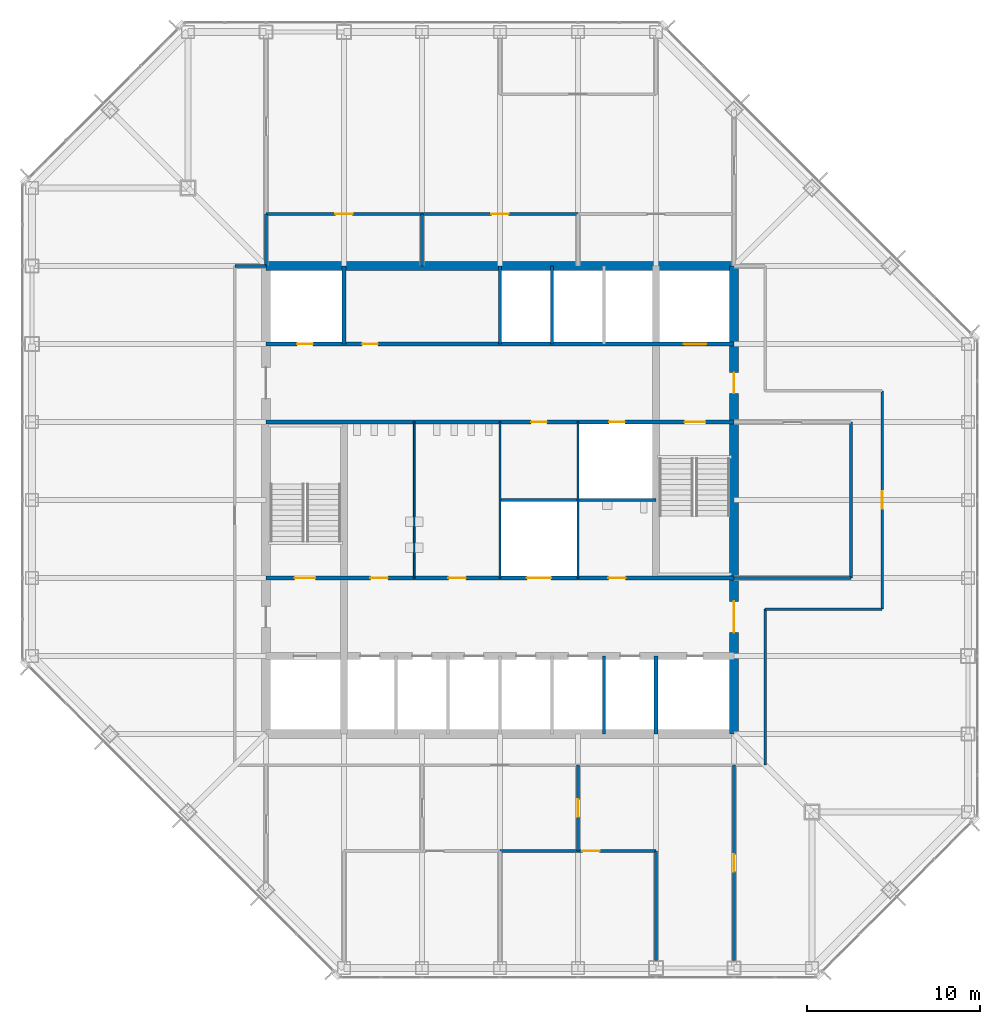
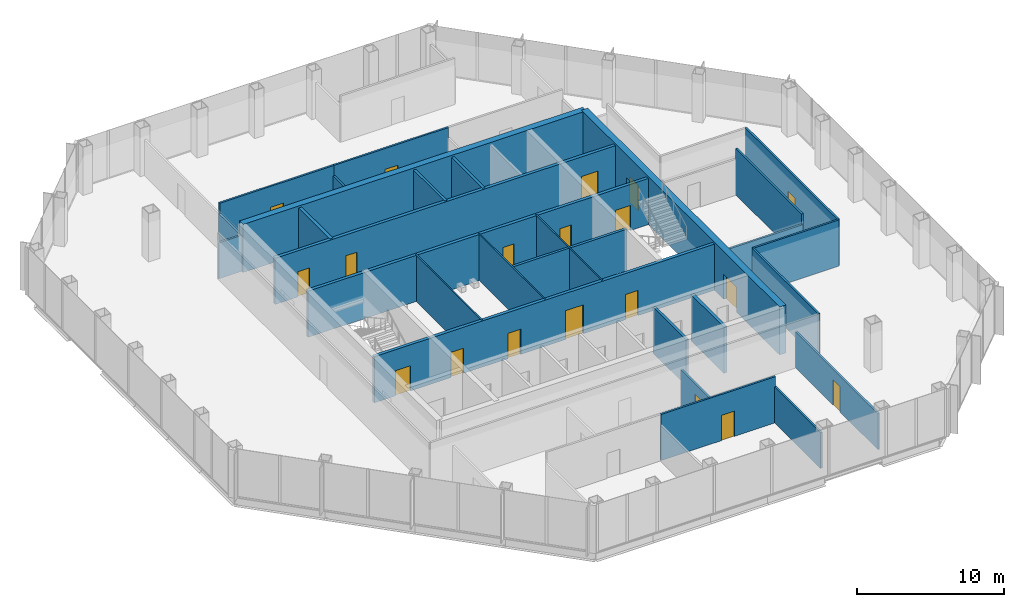
# One storey, part 9 of 12: 28 walls, 19 doors, 19 openings.
"""IFC4 building model written with IfcOpenShell, lengths in metres."""

from ifc_helpers import new_model, si_unit, direction, frame, frame_2d, origin, place, context, subcontext, project, spatial, rectangle, extrude, material, layer, layer_set, type_object, element, fill, save


model = new_model("IFC4")

# Units and contexts
model_context = context("Model", 3, precision=1e-05, world=origin(), true_north=direction((0.0, 1.0)))
body_context = subcontext(model_context, "Body", "Model", "MODEL_VIEW")
ifc_project = project(units=[si_unit("LENGTHUNIT", "METRE"), si_unit("AREAUNIT", "SQUARE_METRE"), si_unit("VOLUMEUNIT", "CUBIC_METRE"), si_unit("PLANEANGLEUNIT", "RADIAN"), si_unit("MASSUNIT", "GRAM", prefix="KILO")], contexts=[model_context])

# Site, building, storey
site_placement = place(None, origin())
site = spatial("IfcSite", under=ifc_project, at=site_placement, CompositionType="ELEMENT")
building_placement = place(site_placement, origin())
building = spatial("IfcBuilding", under=site, at=building_placement, Name="Corais Broadcast Tower", CompositionType="ELEMENT")
storey_placement = place(building_placement, frame((0.0, 0.0, 187.60009765625)))
storey = spatial("IfcBuildingStorey", under=building, at=storey_placement, Name="L43", CompositionType="ELEMENT", Elevation=187.60009765625)

# Walls
ifc_material_1 = material(Name="Concrete blockwork class A, grouted, two-hour", Category="masonry")
ifc_layer_1 = layer(ifc_material_1, 0.25)
ifc_layer_set_1 = layer_set([ifc_layer_1], Name="Concrete blockwork class A, grouted, two-hour")
wall_type_1 = type_object("IfcWallType", Name="Core lobby wall 250", PredefinedType="SOLIDWALL", material=ifc_layer_set_1)
for number, where, z_axis, x_axis, name in (
    (1, (18.0, 36.0, 0.0), (0.0, 0.0, 1.0), (0.0, 1.0, 0.0), "CL2 core shaft wall X18B L43"),
    (2, (36.0, 13.5, 0.0), (0.0, 0.0, 1.0), (0.0, 1.0, 0.0), "CL2 core shaft wall X36A L43"),
):
    element("IfcWall", number, at=place(storey_placement, frame(where, z_axis=z_axis, x_axis=x_axis)), inside=storey, type_object=wall_type_1, Name=name, PredefinedType="SOLIDWALL", context=body_context, shape_type="SweptSolid", body=[
        extrude(rectangle(XDim=4.5, YDim=0.25, at=frame_2d((2.25, 0.0))), origin(), (0.0, 0.0, 1.0), 3.83984375),
    ])

# Wall, openings, doors
wall_1_placement = place(storey_placement, frame((13.5, 22.5, 0.0), z_axis=(0.0, 0.0, 1.0), x_axis=(1.0, 0.0, 0.0)))
wall_1 = element("IfcWall", 3, at=wall_1_placement, inside=storey, type_object=wall_type_1, Name="CL2 core lobby wall Y225 L43", PredefinedType="SOLIDWALL", context=body_context, shape_type="SweptSolid", body=[
    extrude(rectangle(XDim=27.0, YDim=0.25, at=frame_2d((13.5, 0.0))), origin(), (0.0, 0.0, 1.0), 3.83984375),
])
opening_1_placement = place(wall_1_placement, frame((1.64990234375, 0.0, 0.0)))
opening_1 = element("IfcOpeningElement", 4, at=opening_1_placement, cuts=wall_1, Name="Opening FD1", PredefinedType="OPENING", context=body_context, shape_type="SweptSolid", body=[
    extrude(rectangle(XDim=1.199951171875, YDim=2.10009765625, at=frame_2d((0.60009765625, 1.050048828125))), frame((0.0, 0.135009765625, 0.0), z_axis=(0.0, -1.0, 0.0), x_axis=(1.0, 0.0, 0.0)), (0.0, 0.0, 1.0), 0.27001953125),
])
opening_2_placement = place(wall_1_placement, frame((6.02490234375, 0.0, 0.0)))
opening_2 = element("IfcOpeningElement", 5, at=opening_2_placement, cuts=wall_1, Name="Opening WD1", PredefinedType="OPENING", context=body_context, shape_type="SweptSolid", body=[
    extrude(rectangle(XDim=1.0, YDim=2.10009765625, at=frame_2d((0.5, 1.050048828125))), frame((0.0, 0.135009765625, 0.0), z_axis=(0.0, -1.0, 0.0), x_axis=(1.0, 0.0, 0.0)), (0.0, 0.0, 1.0), 0.27001953125),
])
opening_3_placement = place(wall_1_placement, frame((10.52490234375, 0.0, 0.0)))
opening_3 = element("IfcOpeningElement", 6, at=opening_3_placement, cuts=wall_1, Name="Opening WD1", PredefinedType="OPENING", context=body_context, shape_type="SweptSolid", body=[
    extrude(rectangle(XDim=1.0, YDim=2.10009765625, at=frame_2d((0.5, 1.050048828125))), frame((0.0, 0.135009765625, 0.0), z_axis=(0.0, -1.0, 0.0), x_axis=(1.0, 0.0, 0.0)), (0.0, 0.0, 1.0), 0.27001953125),
])
opening_4_placement = place(wall_1_placement, frame((19.75, 0.0, 0.0)))
opening_4 = element("IfcOpeningElement", 7, at=opening_4_placement, cuts=wall_1, Name="Opening WD1", PredefinedType="OPENING", context=body_context, shape_type="SweptSolid", body=[
    extrude(rectangle(XDim=1.0, YDim=2.10009765625, at=frame_2d((0.5, 1.050048828125))), frame((0.0, 0.135009765625, 0.0), z_axis=(0.0, -1.0, 0.0), x_axis=(1.0, 0.0, 0.0)), (0.0, 0.0, 1.0), 0.27001953125),
])
opening_5_placement = place(wall_1_placement, frame((15.050048828125, 0.0, 0.0)))
opening_5 = element("IfcOpeningElement", 8, at=opening_5_placement, cuts=wall_1, Name="Opening LD3", PredefinedType="OPENING", context=body_context, shape_type="SweptSolid", body=[
    extrude(rectangle(XDim=1.39990234375, YDim=2.39990234375, at=frame_2d((0.699951171875, 1.199951171875))), frame((0.0, 0.135009765625, 0.0), z_axis=(0.0, -1.0, 0.0), x_axis=(1.0, 0.0, 0.0)), (0.0, 0.0, 1.0), 0.27001953125),
])
ifc_material_2 = material(Name="Steel fire door", Category="steel")
door_type_1 = type_object("IfcDoorType", Name="Fire door 1200x2100", OperationType="SINGLE_SWING_LEFT", PredefinedType="DOOR", material=ifc_material_2)
door_1_placement = place(opening_1_placement, origin())
door_1 = element("IfcDoor", 9, at=door_1_placement, inside=storey, type_object=door_type_1, Name="FD1 stair A door L43", OperationType="SINGLE_SWING_LEFT", OverallHeight=2.10009765625, OverallWidth=1.199951171875, PredefinedType="DOOR", context=body_context, shape_type="SweptSolid", body=[
    extrude(rectangle(XDim=1.199951171875, YDim=2.10009765625, at=frame_2d((0.60009765625, 1.050048828125))), frame((0.0, 0.02490234375, 0.0), z_axis=(0.0, -1.0, 0.0), x_axis=(1.0, 0.0, 0.0)), (0.0, 0.0, 1.0), 0.050048828125),
])
fill(opening_1, door_1)
ifc_material_3 = material(Name="Stainless steel lift door", Category="steel")
door_type_2 = type_object("IfcDoorType", Name="Service lift landing door 1400x2400", OperationType="SLIDING_TO_LEFT", PredefinedType="DOOR", material=ifc_material_3)
door_2_placement = place(opening_5_placement, origin())
door_2 = element("IfcDoor", 10, at=door_2_placement, inside=storey, type_object=door_type_2, Name="LD3 SL1 landing door L43", OperationType="SLIDING_TO_LEFT", OverallHeight=2.39990234375, OverallWidth=1.39990234375, PredefinedType="DOOR", context=body_context, shape_type="SweptSolid", body=[
    extrude(rectangle(XDim=1.39990234375, YDim=2.39990234375, at=frame_2d((0.699951171875, 1.199951171875))), frame((0.0, 0.02490234375, 0.0), z_axis=(0.0, -1.0, 0.0), x_axis=(1.0, 0.0, 0.0)), (0.0, 0.0, 1.0), 0.050048828125),
])
fill(opening_5, door_2)
ifc_material_4 = material(Name="Timber door", Category="wood")
door_type_3 = type_object("IfcDoorType", Name="Toilet door 1000x2100", OperationType="SINGLE_SWING_LEFT", PredefinedType="DOOR", material=ifc_material_4)
door_3_placement = place(opening_2_placement, origin())
door_3 = element("IfcDoor", 11, at=door_3_placement, inside=storey, type_object=door_type_3, Name="WD1 WC male door L43", OperationType="SINGLE_SWING_LEFT", OverallHeight=2.10009765625, OverallWidth=1.0, PredefinedType="DOOR", context=body_context, shape_type="SweptSolid", body=[
    extrude(rectangle(XDim=1.0, YDim=2.10009765625, at=frame_2d((0.5, 1.050048828125))), frame((0.0, 0.02490234375, 0.0), z_axis=(0.0, -1.0, 0.0), x_axis=(1.0, 0.0, 0.0)), (0.0, 0.0, 1.0), 0.050048828125),
])
fill(opening_2, door_3)
door_4_placement = place(opening_3_placement, origin())
door_4 = element("IfcDoor", 12, at=door_4_placement, inside=storey, type_object=door_type_3, Name="WD1 WC female door L43", OperationType="SINGLE_SWING_LEFT", OverallHeight=2.10009765625, OverallWidth=1.0, PredefinedType="DOOR", context=body_context, shape_type="SweptSolid", body=[
    extrude(rectangle(XDim=1.0, YDim=2.10009765625, at=frame_2d((0.5, 1.050048828125))), frame((0.0, 0.02490234375, 0.0), z_axis=(0.0, -1.0, 0.0), x_axis=(1.0, 0.0, 0.0)), (0.0, 0.0, 1.0), 0.050048828125),
])
fill(opening_3, door_4)
door_5_placement = place(opening_4_placement, origin())
door_5 = element("IfcDoor", 13, at=door_5_placement, inside=storey, type_object=door_type_3, Name="WD1 accessible WC door L43", OperationType="SINGLE_SWING_RIGHT", OverallHeight=2.10009765625, OverallWidth=1.0, PredefinedType="DOOR", context=body_context, shape_type="SweptSolid", body=[
    extrude(rectangle(XDim=1.0, YDim=2.10009765625, at=frame_2d((0.5, 1.050048828125))), frame((0.0, 0.02490234375, 0.0), z_axis=(0.0, -1.0, 0.0), x_axis=(1.0, 0.0, 0.0)), (0.0, 0.0, 1.0), 0.050048828125),
])
fill(opening_4, door_5)

wall_2_placement = place(storey_placement, frame((13.5, 31.5, 0.0), z_axis=(0.0, 0.0, 1.0), x_axis=(1.0, 0.0, 0.0)))
wall_2 = element("IfcWall", 14, at=wall_2_placement, inside=storey, type_object=wall_type_1, Name="CL2 core lobby wall Y315 L43", PredefinedType="SOLIDWALL", context=body_context, shape_type="SweptSolid", body=[
    extrude(rectangle(XDim=27.0, YDim=0.25, at=frame_2d((13.5, 0.0))), origin(), (0.0, 0.0, 1.0), 3.83984375),
])
opening_6_placement = place(wall_2_placement, frame((24.14990234375, 0.0, 0.0)))
opening_6 = element("IfcOpeningElement", 15, at=opening_6_placement, cuts=wall_2, Name="Opening FD1", PredefinedType="OPENING", context=body_context, shape_type="SweptSolid", body=[
    extrude(rectangle(XDim=1.199951171875, YDim=2.10009765625, at=frame_2d((0.60009765625, 1.050048828125))), frame((0.0, 0.135009765625, 0.0), z_axis=(0.0, -1.0, 0.0), x_axis=(1.0, 0.0, 0.0)), (0.0, 0.0, 1.0), 0.27001953125),
])
opening_7_placement = place(wall_2_placement, frame((15.300048828125, 0.0, 0.0)))
opening_7 = element("IfcOpeningElement", 16, at=opening_7_placement, cuts=wall_2, Name="Opening RD1", PredefinedType="OPENING", context=body_context, shape_type="SweptSolid", body=[
    extrude(rectangle(XDim=0.89990234375, YDim=2.10009765625, at=frame_2d((0.449951171875, 1.050048828125))), frame((0.0, 0.135009765625, 0.0), z_axis=(0.0, -1.0, 0.0), x_axis=(1.0, 0.0, 0.0)), (0.0, 0.0, 1.0), 0.27001953125),
])
opening_8_placement = place(wall_2_placement, frame((19.800048828125, 0.0, 0.0)))
opening_8 = element("IfcOpeningElement", 17, at=opening_8_placement, cuts=wall_2, Name="Opening RD1", PredefinedType="OPENING", context=body_context, shape_type="SweptSolid", body=[
    extrude(rectangle(XDim=0.89990234375, YDim=2.10009765625, at=frame_2d((0.449951171875, 1.050048828125))), frame((0.0, 0.135009765625, 0.0), z_axis=(0.0, -1.0, 0.0), x_axis=(1.0, 0.0, 0.0)), (0.0, 0.0, 1.0), 0.27001953125),
])
door_6_placement = place(opening_6_placement, origin())
door_6 = element("IfcDoor", 18, at=door_6_placement, inside=storey, type_object=door_type_1, Name="FD1 stair B door L43", OperationType="SINGLE_SWING_RIGHT", OverallHeight=2.10009765625, OverallWidth=1.199951171875, PredefinedType="DOOR", context=body_context, shape_type="SweptSolid", body=[
    extrude(rectangle(XDim=1.199951171875, YDim=2.10009765625, at=frame_2d((0.60009765625, 1.050048828125))), frame((0.0, 0.02490234375, 0.0), z_axis=(0.0, -1.0, 0.0), x_axis=(1.0, 0.0, 0.0)), (0.0, 0.0, 1.0), 0.050048828125),
])
fill(opening_6, door_6)
ifc_material_5 = material(Name="Steel fire door", Category="steel")
door_type_4 = type_object("IfcDoorType", Name="Riser door 900x2100", OperationType="SINGLE_SWING_LEFT", PredefinedType="DOOR", material=ifc_material_5)
door_7_placement = place(opening_7_placement, origin())
door_7 = element("IfcDoor", 19, at=door_7_placement, inside=storey, type_object=door_type_4, Name="RD1 stationery store door L43", OperationType="SINGLE_SWING_RIGHT", OverallHeight=2.10009765625, OverallWidth=0.89990234375, PredefinedType="DOOR", context=body_context, shape_type="SweptSolid", body=[
    extrude(rectangle(XDim=0.89990234375, YDim=2.10009765625, at=frame_2d((0.449951171875, 1.050048828125))), frame((0.0, 0.02490234375, 0.0), z_axis=(0.0, -1.0, 0.0), x_axis=(1.0, 0.0, 0.0)), (0.0, 0.0, 1.0), 0.050048828125),
])
fill(opening_7, door_7)
door_8_placement = place(opening_8_placement, origin())
door_8 = element("IfcDoor", 20, at=door_8_placement, inside=storey, type_object=door_type_4, Name="RD1 riser door L43", OperationType="SINGLE_SWING_RIGHT", OverallHeight=2.10009765625, OverallWidth=0.89990234375, PredefinedType="DOOR", context=body_context, shape_type="SweptSolid", body=[
    extrude(rectangle(XDim=0.89990234375, YDim=2.10009765625, at=frame_2d((0.449951171875, 1.050048828125))), frame((0.0, 0.02490234375, 0.0), z_axis=(0.0, -1.0, 0.0), x_axis=(1.0, 0.0, 0.0)), (0.0, 0.0, 1.0), 0.050048828125),
])
fill(opening_8, door_8)

ifc_material_6 = material(Name="Concrete C50/60", Category="concrete")
ifc_layer_2 = layer(ifc_material_6, 0.5)
ifc_layer_set_2 = layer_set([ifc_layer_2], Name="Concrete C50/60")
wall_type_2 = type_object("IfcWallType", Name="Core wall 500", PredefinedType="SHEAR", material=ifc_layer_set_2)
wall_3_placement = place(storey_placement, frame((40.5, 13.5, 0.0), z_axis=(0.0, 0.0, 1.0), x_axis=(0.0, 1.0, 0.0)))
wall_3 = element("IfcWall", 21, at=wall_3_placement, inside=storey, type_object=wall_type_2, Name="CR500 core wall E L43", PredefinedType="SHEAR", context=body_context, shape_type="SweptSolid", body=[
    extrude(rectangle(XDim=27.0, YDim=0.5, at=frame_2d((13.5, 0.0))), origin(), (0.0, 0.0, 1.0), 4.0),
])
opening_9_placement = place(wall_3_placement, frame((5.85009765625, 0.0, 0.0)))
opening_9 = element("IfcOpeningElement", 22, at=opening_9_placement, cuts=wall_3, Name="Opening FD2", PredefinedType="OPENING", context=body_context, shape_type="SweptSolid", body=[
    extrude(rectangle(XDim=1.800048828125, YDim=2.10009765625, at=frame_2d((0.89990234375, 1.050048828125))), frame((0.0, 0.260009765625, 0.0), z_axis=(0.0, -1.0, 0.0), x_axis=(1.0, 0.0, 0.0)), (0.0, 0.0, 1.0), 0.52001953125),
])
opening_10_placement = place(wall_3_placement, frame((19.64990234375, 0.0, 0.0)))
opening_10 = element("IfcOpeningElement", 23, at=opening_10_placement, cuts=wall_3, Name="Opening FD1", PredefinedType="OPENING", context=body_context, shape_type="SweptSolid", body=[
    extrude(rectangle(XDim=1.199951171875, YDim=2.10009765625, at=frame_2d((0.60009765625, 1.050048828125))), frame((0.0, 0.260009765625, 0.0), z_axis=(0.0, -1.0, 0.0), x_axis=(1.0, 0.0, 0.0)), (0.0, 0.0, 1.0), 0.52001953125),
])
door_9_placement = place(opening_10_placement, origin())
door_9 = element("IfcDoor", 24, at=door_9_placement, inside=storey, type_object=door_type_1, Name="FD1 fire lobby B door L43", OperationType="SINGLE_SWING_RIGHT", OverallHeight=2.10009765625, OverallWidth=1.199951171875, PredefinedType="DOOR", context=body_context, shape_type="SweptSolid", body=[
    extrude(rectangle(XDim=1.199951171875, YDim=2.10009765625, at=frame_2d((0.60009765625, 1.050048828125))), frame((0.0, 0.02490234375, 0.0), z_axis=(0.0, -1.0, 0.0), x_axis=(1.0, 0.0, 0.0)), (0.0, 0.0, 1.0), 0.050048828125),
])
fill(opening_10, door_9)
ifc_material_7 = material(Name="Steel fire door", Category="steel")
door_type_5 = type_object("IfcDoorType", Name="Fire door pair 1800x2100", OperationType="DOUBLE_DOOR_SINGLE_SWING", PredefinedType="DOOR", material=ifc_material_7)
door_10_placement = place(opening_9_placement, origin())
door_10 = element("IfcDoor", 25, at=door_10_placement, inside=storey, type_object=door_type_5, Name="FD2 lift lobby door L43", OperationType="SINGLE_SWING_LEFT", OverallHeight=2.10009765625, OverallWidth=1.800048828125, PredefinedType="DOOR", context=body_context, shape_type="SweptSolid", body=[
    extrude(rectangle(XDim=1.800048828125, YDim=2.10009765625, at=frame_2d((0.89990234375, 1.050048828125))), frame((0.0, 0.02490234375, 0.0), z_axis=(0.0, -1.0, 0.0), x_axis=(1.0, 0.0, 0.0)), (0.0, 0.0, 1.0), 0.050048828125),
])
fill(opening_9, door_10)

# Wall
wall_4_placement = place(storey_placement, frame((40.5, 40.5, 0.0), z_axis=(0.0, 0.0, 1.0), x_axis=(-1.0, 0.0, 0.0)))
element("IfcWall", 26, at=wall_4_placement, inside=storey, type_object=wall_type_2, Name="CR500 core wall N L43", PredefinedType="SHEAR", context=body_context, shape_type="SweptSolid", body=[
    extrude(rectangle(XDim=27.0, YDim=0.5, at=frame_2d((13.5, 0.0))), origin(), (0.0, 0.0, 1.0), 4.0),
])

# Wall, openings, doors
ifc_material_8 = material(Name="Concrete blockwork class A, grouted, four-hour", Category="masonry")
ifc_layer_3 = layer(ifc_material_8, 0.25)
ifc_layer_set_3 = layer_set([ifc_layer_3], Name="Concrete blockwork class A, grouted, four-hour")
wall_type_3 = type_object("IfcWallType", Name="Emergency lift shaft wall 250", PredefinedType="SOLIDWALL", material=ifc_layer_set_3)
wall_5_placement = place(storey_placement, frame((13.5, 36.0, 0.0), z_axis=(0.0, 0.0, 1.0), x_axis=(1.0, 0.0, 0.0)))
wall_5 = element("IfcWall", 27, at=wall_5_placement, inside=storey, type_object=wall_type_3, Name="LS2 core lobby wall Y36 L43", PredefinedType="SOLIDWALL", context=body_context, shape_type="SweptSolid", body=[
    extrude(rectangle(XDim=27.0, YDim=0.25, at=frame_2d((13.5, 0.0))), origin(), (0.0, 0.0, 1.0), 3.83984375),
])
opening_11_placement = place(wall_5_placement, frame((1.800048828125, 0.0, 0.0)))
opening_11 = element("IfcOpeningElement", 28, at=opening_11_placement, cuts=wall_5, Name="Opening RD1", PredefinedType="OPENING", context=body_context, shape_type="SweptSolid", body=[
    extrude(rectangle(XDim=0.89990234375, YDim=2.10009765625, at=frame_2d((0.449951171875, 1.050048828125))), frame((0.0, 0.135009765625, 0.0), z_axis=(0.0, -1.0, 0.0), x_axis=(1.0, 0.0, 0.0)), (0.0, 0.0, 1.0), 0.27001953125),
])
opening_12_placement = place(wall_5_placement, frame((5.550048828125, 0.0, 0.0)))
opening_12 = element("IfcOpeningElement", 29, at=opening_12_placement, cuts=wall_5, Name="Opening RD1", PredefinedType="OPENING", context=body_context, shape_type="SweptSolid", body=[
    extrude(rectangle(XDim=0.89990234375, YDim=2.10009765625, at=frame_2d((0.449951171875, 1.050048828125))), frame((0.0, 0.135009765625, 0.0), z_axis=(0.0, -1.0, 0.0), x_axis=(1.0, 0.0, 0.0)), (0.0, 0.0, 1.0), 0.27001953125),
])
opening_13_placement = place(wall_5_placement, frame((24.10009765625, 0.0, 0.0)))
opening_13 = element("IfcOpeningElement", 30, at=opening_13_placement, cuts=wall_5, Name="Opening LD2", PredefinedType="OPENING", context=body_context, shape_type="SweptSolid", body=[
    extrude(rectangle(XDim=1.300048828125, YDim=2.199951171875, at=frame_2d((0.64990234375, 1.10009765625))), frame((0.0, 0.135009765625, 0.0), z_axis=(0.0, -1.0, 0.0), x_axis=(1.0, 0.0, 0.0)), (0.0, 0.0, 1.0), 0.27001953125),
])
ifc_material_9 = material(Name="Stainless steel lift door", Category="steel")
door_type_6 = type_object("IfcDoorType", Name="Lift landing door 1300x2200", OperationType="SLIDING_TO_LEFT", PredefinedType="DOOR", material=ifc_material_9)
door_11_placement = place(opening_13_placement, origin())
door_11 = element("IfcDoor", 31, at=door_11_placement, inside=storey, type_object=door_type_6, Name="LD2 FL2 landing door L43", OperationType="SLIDING_TO_LEFT", OverallHeight=2.199951171875, OverallWidth=1.300048828125, PredefinedType="DOOR", context=body_context, shape_type="SweptSolid", body=[
    extrude(rectangle(XDim=1.300048828125, YDim=2.199951171875, at=frame_2d((0.64990234375, 1.10009765625))), frame((0.0, 0.02490234375, 0.0), z_axis=(0.0, -1.0, 0.0), x_axis=(1.0, 0.0, 0.0)), (0.0, 0.0, 1.0), 0.050048828125),
])
fill(opening_13, door_11)
door_12_placement = place(opening_11_placement, origin())
door_12 = element("IfcDoor", 32, at=door_12_placement, inside=storey, type_object=door_type_4, Name="RD1 riser door L43", OperationType="SINGLE_SWING_LEFT", OverallHeight=2.10009765625, OverallWidth=0.89990234375, PredefinedType="DOOR", context=body_context, shape_type="SweptSolid", body=[
    extrude(rectangle(XDim=0.89990234375, YDim=2.10009765625, at=frame_2d((0.449951171875, 1.050048828125))), frame((0.0, 0.02490234375, 0.0), z_axis=(0.0, -1.0, 0.0), x_axis=(1.0, 0.0, 0.0)), (0.0, 0.0, 1.0), 0.050048828125),
])
fill(opening_11, door_12)
door_13_placement = place(opening_12_placement, origin())
door_13 = element("IfcDoor", 33, at=door_13_placement, inside=storey, type_object=door_type_4, Name="RD1 print room door L43", OperationType="SINGLE_SWING_LEFT", OverallHeight=2.10009765625, OverallWidth=0.89990234375, PredefinedType="DOOR", context=body_context, shape_type="SweptSolid", body=[
    extrude(rectangle(XDim=0.89990234375, YDim=2.10009765625, at=frame_2d((0.449951171875, 1.050048828125))), frame((0.0, 0.02490234375, 0.0), z_axis=(0.0, -1.0, 0.0), x_axis=(1.0, 0.0, 0.0)), (0.0, 0.0, 1.0), 0.050048828125),
])
fill(opening_12, door_13)

# Wall, opening, door
ifc_material_10 = material(Name="Gypsum board on steel studs", Category="steel")
ifc_layer_4 = layer(ifc_material_10, 0.14990234375)
ifc_layer_set_4 = layer_set([ifc_layer_4], Name="Gypsum board on steel studs")
wall_type_4 = type_object("IfcWallType", Name="Partition 150", PredefinedType="PARTITIONING", material=ifc_layer_set_4)
wall_6_placement = place(storey_placement, frame((49.050048828125, 20.699951171875, 0.0), z_axis=(0.0, 0.0, 1.0), x_axis=(0.0, 1.0, 0.0)))
wall_6 = element("IfcWall", 34, at=wall_6_placement, inside=storey, type_object=wall_type_4, Name="IW3 corridor wall L43", PredefinedType="PARTITIONING", context=body_context, shape_type="SweptSolid", body=[
    extrude(rectangle(XDim=12.60009765625, YDim=0.14990234375, at=frame_2d((6.300048828125, 0.0))), origin(), (0.0, 0.0, 1.0), 3.83984375),
])
opening_14_placement = place(wall_6_placement, frame((5.800048828125, 0.0, 0.0)))
opening_14 = element("IfcOpeningElement", 35, at=opening_14_placement, cuts=wall_6, Name="Opening D1", PredefinedType="OPENING", context=body_context, shape_type="SweptSolid", body=[
    extrude(rectangle(XDim=1.0, YDim=2.10009765625, at=frame_2d((0.5, 1.050048828125))), frame((0.0, 0.0849609375, 0.0), z_axis=(0.0, -1.0, 0.0), x_axis=(1.0, 0.0, 0.0)), (0.0, 0.0, 1.0), 0.169921875),
])
ifc_material_11 = material(Name="Timber door", Category="wood")
door_type_7 = type_object("IfcDoorType", Name="Single door 1000x2100", OperationType="SINGLE_SWING_LEFT", PredefinedType="DOOR", material=ifc_material_11)
door_14_placement = place(opening_14_placement, origin())
door_14 = element("IfcDoor", 36, at=door_14_placement, inside=storey, type_object=door_type_7, Name="D1 workplace door L43", OperationType="SINGLE_SWING_LEFT", OverallHeight=2.10009765625, OverallWidth=1.0, PredefinedType="DOOR", context=body_context, shape_type="SweptSolid", body=[
    extrude(rectangle(XDim=1.0, YDim=2.10009765625, at=frame_2d((0.5, 1.050048828125))), frame((0.0, 0.02490234375, 0.0), z_axis=(0.0, -1.0, 0.0), x_axis=(1.0, 0.0, 0.0)), (0.0, 0.0, 1.0), 0.050048828125),
])
fill(opening_14, door_14)

# Walls
wall_7_placement = place(storey_placement, frame((42.300048828125, 11.699951171875, 0.0), z_axis=(0.0, 0.0, 1.0), x_axis=(0.0, 1.0, 0.0)))
element("IfcWall", 37, at=wall_7_placement, inside=storey, type_object=wall_type_4, Name="IW3 corridor wall L43", PredefinedType="PARTITIONING", context=body_context, shape_type="SweptSolid", body=[
    extrude(rectangle(XDim=9.0, YDim=0.14990234375, at=frame_2d((4.5, 0.0))), origin(), (0.0, 0.0, 1.0), 3.83984375),
])
wall_8_placement = place(storey_placement, frame((42.300048828125, 20.699951171875, 0.0), z_axis=(0.0, 0.0, 1.0), x_axis=(1.0, 0.0, 0.0)))
element("IfcWall", 38, at=wall_8_placement, inside=storey, type_object=wall_type_4, Name="IW3 corridor wall L43", PredefinedType="PARTITIONING", context=body_context, shape_type="SweptSolid", body=[
    extrude(rectangle(XDim=6.75, YDim=0.14990234375, at=frame_2d((3.375, 0.0))), origin(), (0.0, 0.0, 1.0), 3.83984375),
])
wall_9_placement = place(storey_placement, frame((13.5, 40.5, 0.0), z_axis=(0.0, 0.0, 1.0), x_axis=(-1.0, 0.0, 0.0)))
element("IfcWall", 39, at=wall_9_placement, inside=storey, type_object=wall_type_4, Name="IW3 corridor wall L43", PredefinedType="PARTITIONING", context=body_context, shape_type="SweptSolid", body=[
    extrude(rectangle(XDim=1.800048828125, YDim=0.14990234375, at=frame_2d((0.89990234375, 0.0))), origin(), (0.0, 0.0, 1.0), 2.989013671875),
])
wall_10_placement = place(storey_placement, frame((36.0, 0.43505859375, 0.0), z_axis=(0.0, 0.0, 1.0), x_axis=(0.0, 1.0, 0.0)))
element("IfcWall", 40, at=wall_10_placement, inside=storey, type_object=wall_type_4, Name="IW3 partition L43", PredefinedType="PARTITIONING", context=body_context, shape_type="SweptSolid", body=[
    extrude(rectangle(XDim=6.31494140625, YDim=0.14990234375, at=frame_2d((3.157470703125, 0.0))), origin(), (0.0, 0.0, 1.0), 2.989013671875),
])

# Wall, opening, door
wall_11_placement = place(storey_placement, frame((36.0, 6.75, 0.0), z_axis=(0.0, 0.0, 1.0), x_axis=(-1.0, 0.0, 0.0)))
wall_11 = element("IfcWall", 41, at=wall_11_placement, inside=storey, type_object=wall_type_4, Name="IW3 partition L43", PredefinedType="PARTITIONING", context=body_context, shape_type="SweptSolid", body=[
    extrude(rectangle(XDim=9.0, YDim=0.14990234375, at=frame_2d((4.5, 0.0))), origin(), (0.0, 0.0, 1.0), 3.83984375),
])
opening_15_placement = place(wall_11_placement, frame((3.25, 0.0, 0.0)))
opening_15 = element("IfcOpeningElement", 42, at=opening_15_placement, cuts=wall_11, Name="Opening D1", PredefinedType="OPENING", context=body_context, shape_type="SweptSolid", body=[
    extrude(rectangle(XDim=1.0, YDim=2.10009765625, at=frame_2d((0.5, 1.050048828125))), frame((0.0, 0.0849609375, 0.0), z_axis=(0.0, -1.0, 0.0), x_axis=(1.0, 0.0, 0.0)), (0.0, 0.0, 1.0), 0.169921875),
])
door_15_placement = place(opening_15_placement, origin())
door_15 = element("IfcDoor", 43, at=door_15_placement, inside=storey, type_object=door_type_7, Name="D1 Team office door", OperationType="SINGLE_SWING_LEFT", OverallHeight=2.10009765625, OverallWidth=1.0, PredefinedType="DOOR", context=body_context, shape_type="SweptSolid", body=[
    extrude(rectangle(XDim=1.0, YDim=2.10009765625, at=frame_2d((0.5, 1.050048828125))), frame((0.0, 0.02490234375, 0.0), z_axis=(0.0, -1.0, 0.0), x_axis=(1.0, 0.0, 0.0)), (0.0, 0.0, 1.0), 0.050048828125),
])
fill(opening_15, door_15)

# Walls
wall_12_placement = place(storey_placement, frame((40.5, 22.5, 0.0), z_axis=(0.0, 0.0, 1.0), x_axis=(1.0, 0.0, 0.0)))
element("IfcWall", 44, at=wall_12_placement, inside=storey, type_object=wall_type_4, Name="IW3 partition L43", PredefinedType="PARTITIONING", context=body_context, shape_type="SweptSolid", body=[
    extrude(rectangle(XDim=6.75, YDim=0.14990234375, at=frame_2d((3.375, 0.0))), origin(), (0.0, 0.0, 1.0), 2.989013671875),
])
wall_13_placement = place(storey_placement, frame((47.25, 22.5, 0.0), z_axis=(0.0, 0.0, 1.0), x_axis=(0.0, 1.0, 0.0)))
element("IfcWall", 45, at=wall_13_placement, inside=storey, type_object=wall_type_4, Name="IW3 partition L43", PredefinedType="PARTITIONING", context=body_context, shape_type="SweptSolid", body=[
    extrude(rectangle(XDim=9.0, YDim=0.14990234375, at=frame_2d((4.5, 0.0))), origin(), (0.0, 0.0, 1.0), 3.83984375),
])
wall_14_placement = place(storey_placement, frame((22.5, 40.5, 0.0), z_axis=(0.0, 0.0, 1.0), x_axis=(0.0, 1.0, 0.0)))
element("IfcWall", 46, at=wall_14_placement, inside=storey, type_object=wall_type_4, Name="IW3 partition L43", PredefinedType="PARTITIONING", context=body_context, shape_type="SweptSolid", body=[
    extrude(rectangle(XDim=3.0, YDim=0.14990234375, at=frame_2d((1.5, 0.0))), origin(), (0.0, 0.0, 1.0), 2.989013671875),
])

# Wall, opening, door
wall_15_placement = place(storey_placement, frame((22.5, 43.5, 0.0), z_axis=(0.0, 0.0, 1.0), x_axis=(-1.0, 0.0, 0.0)))
wall_15 = element("IfcWall", 47, at=wall_15_placement, inside=storey, type_object=wall_type_4, Name="IW3 partition L43", PredefinedType="PARTITIONING", context=body_context, shape_type="SweptSolid", body=[
    extrude(rectangle(XDim=9.0, YDim=0.14990234375, at=frame_2d((4.5, 0.0))), origin(), (0.0, 0.0, 1.0), 3.83984375),
])
opening_16_placement = place(wall_15_placement, frame((4.0, 0.0, 0.0)))
opening_16 = element("IfcOpeningElement", 48, at=opening_16_placement, cuts=wall_15, Name="Opening D1", PredefinedType="OPENING", context=body_context, shape_type="SweptSolid", body=[
    extrude(rectangle(XDim=1.0, YDim=2.10009765625, at=frame_2d((0.5, 1.050048828125))), frame((0.0, 0.0849609375, 0.0), z_axis=(0.0, -1.0, 0.0), x_axis=(1.0, 0.0, 0.0)), (0.0, 0.0, 1.0), 0.169921875),
])
door_16_placement = place(opening_16_placement, origin())
door_16 = element("IfcDoor", 49, at=door_16_placement, inside=storey, type_object=door_type_7, Name="D1 Stationery store door", OperationType="SINGLE_SWING_LEFT", OverallHeight=2.10009765625, OverallWidth=1.0, PredefinedType="DOOR", context=body_context, shape_type="SweptSolid", body=[
    extrude(rectangle(XDim=1.0, YDim=2.10009765625, at=frame_2d((0.5, 1.050048828125))), frame((0.0, 0.02490234375, 0.0), z_axis=(0.0, -1.0, 0.0), x_axis=(1.0, 0.0, 0.0)), (0.0, 0.0, 1.0), 0.050048828125),
])
fill(opening_16, door_16)

# Wall
wall_16_placement = place(storey_placement, frame((13.5, 43.5, 0.0), z_axis=(0.0, 0.0, 1.0), x_axis=(0.0, -1.0, 0.0)))
element("IfcWall", 50, at=wall_16_placement, inside=storey, type_object=wall_type_4, Name="IW3 partition L43", PredefinedType="PARTITIONING", context=body_context, shape_type="SweptSolid", body=[
    extrude(rectangle(XDim=3.0, YDim=0.14990234375, at=frame_2d((1.5, 0.0))), origin(), (0.0, 0.0, 1.0), 2.989013671875),
])

# Wall, opening, door
wall_17_placement = place(storey_placement, frame((31.5, 43.5, 0.0), z_axis=(0.0, 0.0, 1.0), x_axis=(-1.0, 0.0, 0.0)))
wall_17 = element("IfcWall", 51, at=wall_17_placement, inside=storey, type_object=wall_type_4, Name="IW3 partition L43", PredefinedType="PARTITIONING", context=body_context, shape_type="SweptSolid", body=[
    extrude(rectangle(XDim=9.0, YDim=0.14990234375, at=frame_2d((4.5, 0.0))), origin(), (0.0, 0.0, 1.0), 3.83984375),
])
opening_17_placement = place(wall_17_placement, frame((4.0, 0.0, 0.0)))
opening_17 = element("IfcOpeningElement", 52, at=opening_17_placement, cuts=wall_17, Name="Opening D1", PredefinedType="OPENING", context=body_context, shape_type="SweptSolid", body=[
    extrude(rectangle(XDim=1.0, YDim=2.10009765625, at=frame_2d((0.5, 1.050048828125))), frame((0.0, 0.0849609375, 0.0), z_axis=(0.0, -1.0, 0.0), x_axis=(1.0, 0.0, 0.0)), (0.0, 0.0, 1.0), 0.169921875),
])
door_17_placement = place(opening_17_placement, origin())
door_17 = element("IfcDoor", 53, at=door_17_placement, inside=storey, type_object=door_type_7, Name="D1 Stationery store door", OperationType="SINGLE_SWING_LEFT", OverallHeight=2.10009765625, OverallWidth=1.0, PredefinedType="DOOR", context=body_context, shape_type="SweptSolid", body=[
    extrude(rectangle(XDim=1.0, YDim=2.10009765625, at=frame_2d((0.5, 1.050048828125))), frame((0.0, 0.02490234375, 0.0), z_axis=(0.0, -1.0, 0.0), x_axis=(1.0, 0.0, 0.0)), (0.0, 0.0, 1.0), 0.050048828125),
])
fill(opening_17, door_17)

wall_18_placement = place(storey_placement, frame((40.5, 0.419921875, 0.0), z_axis=(0.0, 0.0, 1.0), x_axis=(0.0, 1.0, 0.0)))
wall_18 = element("IfcWall", 54, at=wall_18_placement, inside=storey, type_object=wall_type_4, Name="IW3 partition L43", PredefinedType="PARTITIONING", context=body_context, shape_type="SweptSolid", body=[
    extrude(rectangle(XDim=11.280029296875, YDim=0.14990234375, at=frame_2d((5.64013671875, 0.0))), origin(), (0.0, 0.0, 1.0), 2.989013671875),
])
opening_18_placement = place(wall_18_placement, frame((5.139892578125, 0.0, 0.0)))
opening_18 = element("IfcOpeningElement", 55, at=opening_18_placement, cuts=wall_18, Name="Opening D1", PredefinedType="OPENING", context=body_context, shape_type="SweptSolid", body=[
    extrude(rectangle(XDim=1.0, YDim=2.10009765625, at=frame_2d((0.5, 1.050048828125))), frame((0.0, 0.0849609375, 0.0), z_axis=(0.0, -1.0, 0.0), x_axis=(1.0, 0.0, 0.0)), (0.0, 0.0, 1.0), 0.169921875),
])
door_18_placement = place(opening_18_placement, origin())
door_18 = element("IfcDoor", 56, at=door_18_placement, inside=storey, type_object=door_type_7, Name="D1 team room door L43", OperationType="SINGLE_SWING_LEFT", OverallHeight=2.10009765625, OverallWidth=1.0, PredefinedType="DOOR", context=body_context, shape_type="SweptSolid", body=[
    extrude(rectangle(XDim=1.0, YDim=2.10009765625, at=frame_2d((0.5, 1.050048828125))), frame((0.0, 0.02490234375, 0.0), z_axis=(0.0, -1.0, 0.0), x_axis=(1.0, 0.0, 0.0)), (0.0, 0.0, 1.0), 0.050048828125),
])
fill(opening_18, door_18)

wall_19_placement = place(storey_placement, frame((31.5, 6.75, 0.0), z_axis=(0.0, 0.0, 1.0), x_axis=(0.0, 1.0, 0.0)))
wall_19 = element("IfcWall", 57, at=wall_19_placement, inside=storey, type_object=wall_type_4, Name="IW3 partition L43", PredefinedType="PARTITIONING", context=body_context, shape_type="SweptSolid", body=[
    extrude(rectangle(XDim=4.949951171875, YDim=0.14990234375, at=frame_2d((2.47509765625, 0.0))), origin(), (0.0, 0.0, 1.0), 2.989013671875),
])
opening_19_placement = place(wall_19_placement, frame((1.97509765625, 0.0, 0.0)))
opening_19 = element("IfcOpeningElement", 58, at=opening_19_placement, cuts=wall_19, Name="Opening D1", PredefinedType="OPENING", context=body_context, shape_type="SweptSolid", body=[
    extrude(rectangle(XDim=1.0, YDim=2.10009765625, at=frame_2d((0.5, 1.050048828125))), frame((0.0, 0.0849609375, 0.0), z_axis=(0.0, -1.0, 0.0), x_axis=(1.0, 0.0, 0.0)), (0.0, 0.0, 1.0), 0.169921875),
])
door_19_placement = place(opening_19_placement, origin())
door_19 = element("IfcDoor", 59, at=door_19_placement, inside=storey, type_object=door_type_7, Name="D1 team room door L43", OperationType="SINGLE_SWING_LEFT", OverallHeight=2.10009765625, OverallWidth=1.0, PredefinedType="DOOR", context=body_context, shape_type="SweptSolid", body=[
    extrude(rectangle(XDim=1.0, YDim=2.10009765625, at=frame_2d((0.5, 1.050048828125))), frame((0.0, 0.02490234375, 0.0), z_axis=(0.0, -1.0, 0.0), x_axis=(1.0, 0.0, 0.0)), (0.0, 0.0, 1.0), 0.050048828125),
])
fill(opening_19, door_19)

# Walls
ifc_material_12 = material(Name="Concrete blockwork class A, grouted, two-hour", Category="masonry")
ifc_layer_5 = layer(ifc_material_12, 0.199951171875)
ifc_layer_set_5 = layer_set([ifc_layer_5], Name="Concrete blockwork class A, grouted, two-hour")
wall_type_5 = type_object("IfcWallType", Name="Shaft wall 200", PredefinedType="PARTITIONING", material=ifc_layer_set_5)
for number, where, z_axis, x_axis, name in (
    (60, (27.0, 36.0, 0.0), (0.0, 0.0, 1.0), (0.0, 1.0, 0.0), "IW1 shaft wall L43"),
    (61, (30.0, 36.0, 0.0), (0.0, 0.0, 1.0), (0.0, 1.0, 0.0), "IW1 shaft wall L43"),
    (62, (33.0, 13.5, 0.0), (0.0, 0.0, 1.0), (0.0, 1.0, 0.0), "IW1 shaft wall L43"),
):
    element("IfcWall", number, at=place(storey_placement, frame(where, z_axis=z_axis, x_axis=x_axis)), inside=storey, type_object=wall_type_5, Name=name, PredefinedType="PARTITIONING", context=body_context, shape_type="SweptSolid", body=[
        extrude(rectangle(XDim=4.5, YDim=0.199951171875, at=frame_2d((2.25, 0.0))), origin(), (0.0, 0.0, 1.0), 3.83984375),
    ])
wall_20_placement = place(storey_placement, frame((27.0, 27.0, 0.0), z_axis=(0.0, 0.0, 1.0), x_axis=(1.0, 0.0, 0.0)))
element("IfcWall", 63, at=wall_20_placement, inside=storey, type_object=wall_type_5, Name="IW1 shaft wall L43", PredefinedType="PARTITIONING", context=body_context, shape_type="SweptSolid", body=[
    extrude(rectangle(XDim=9.0, YDim=0.199951171875, at=frame_2d((4.5, 0.0))), origin(), (0.0, 0.0, 1.0), 3.83984375),
])
ifc_material_13 = material(Name="Dense concrete blockwork class A, tiled both faces", Category="masonry")
ifc_layer_6 = layer(ifc_material_13, 0.10009765625)
ifc_layer_set_6 = layer_set([ifc_layer_6], Name="Dense concrete blockwork class A, tiled both faces")
wall_type_6 = type_object("IfcWallType", Name="Toilet wall 100", PredefinedType="PLUMBINGWALL", material=ifc_layer_set_6)
for number, where, z_axis, x_axis, name in (
    (64, (22.050048828125, 22.5, 0.0), (0.0, 0.0, 1.0), (0.0, 1.0, 0.0), "IW2 toilet wall L43"),
    (65, (27.0, 22.5, 0.0), (0.0, 0.0, 1.0), (0.0, 1.0, 0.0), "IW2 toilet wall L43"),
    (66, (31.5, 22.5, 0.0), (0.0, 0.0, 1.0), (0.0, 1.0, 0.0), "IW2 toilet wall L43"),
):
    element("IfcWall", number, at=place(storey_placement, frame(where, z_axis=z_axis, x_axis=x_axis)), inside=storey, type_object=wall_type_6, Name=name, PredefinedType="PLUMBINGWALL", context=body_context, shape_type="SweptSolid", body=[
        extrude(rectangle(XDim=9.0, YDim=0.10009765625, at=frame_2d((4.5, 0.0))), origin(), (0.0, 0.0, 1.0), 3.83984375),
    ])

save(model, "model.ifc")
